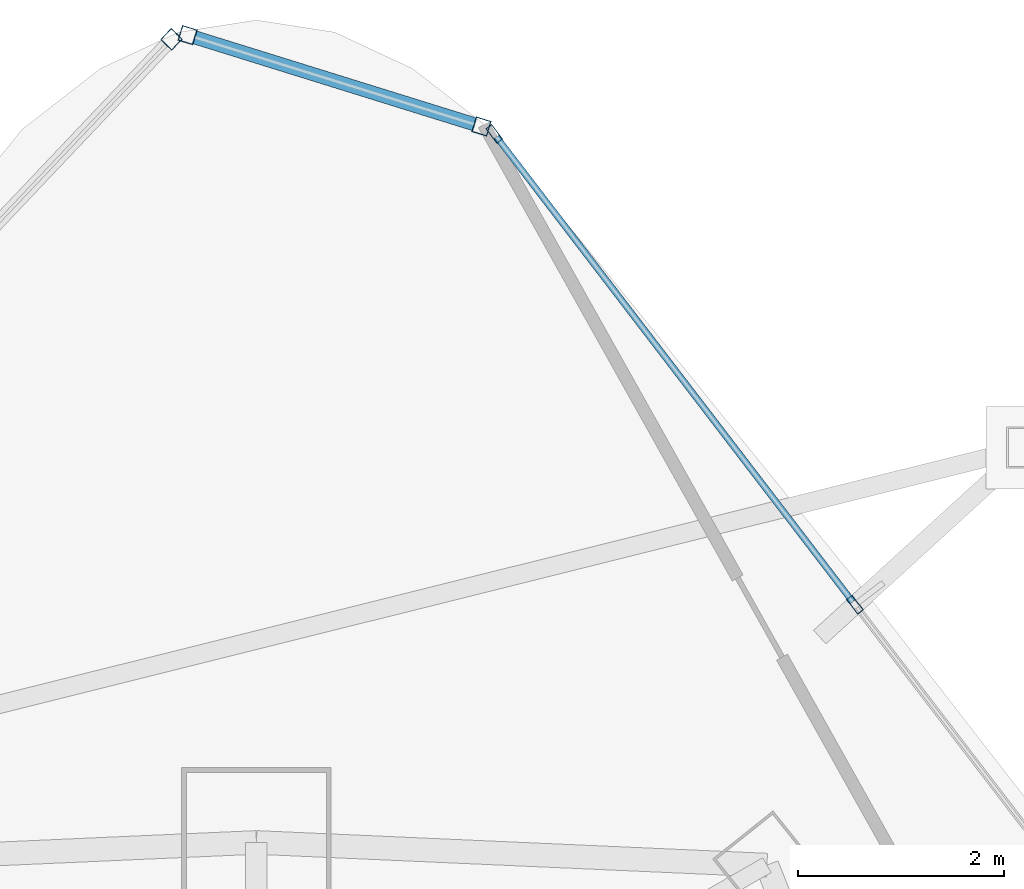
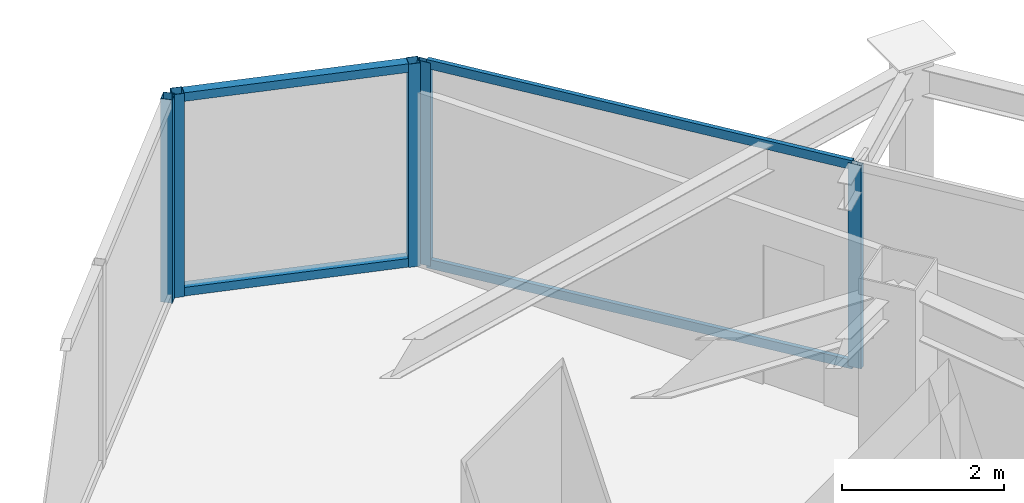
# One storey, part 24 of 33: 9 members, 3 elements without a shape of their own.
"""IFC4 building model written with IfcOpenShell, lengths in metres."""

import ifcopenshell
import ifcopenshell.guid

model = None  # the IFC model being written
_history = None  # IfcOwnerHistory: only IFC2X3 demands one
_inside = {}  # id of a spatial element -> (the spatial element, [elements in it])
_under = {}  # id of a project, library or spatial element -> (it, [spatial elements below it])
_declared = {}  # id of a project -> (the project, [libraries it declares])
_typed = {}  # id of a type object -> (the type object, [elements of that type])
_made_of = {}  # id of a material, layer set ... -> (it, [elements and type objects made of it])


def new_model(schema):
    """Start an empty IFC model of exactly this schema.

    Asked for "IFC4X3", IfcOpenShell would pick the latest addendum, in which some entities
    have other attributes; the version numbers below select the first issue.
    IFC2X3 requires an IfcOwnerHistory on every rooted entity: one is made here for all.
    """
    global model, _history
    if schema == "IFC4X3":
        model = ifcopenshell.file(schema_version=(4, 3, 0, 0))
    else:
        model = ifcopenshell.file(schema=schema)
    _inside.clear()
    _under.clear()
    _declared.clear()
    _typed.clear()
    _made_of.clear()
    _history = None
    if model.schema == "IFC2X3":
        org = make("IfcOrganization", Name="unknown")
        user = make(
            "IfcPersonAndOrganization",
            ThePerson=make("IfcPerson", FamilyName="unknown"),
            TheOrganization=org,
        )
        app = make(
            "IfcApplication",
            ApplicationDeveloper=org,
            Version="unknown",
            ApplicationFullName="unknown",
            ApplicationIdentifier="unknown",
        )
        _history = make(
            "IfcOwnerHistory",
            OwningUser=user,
            OwningApplication=app,
            ChangeAction="ADDED",
            CreationDate=0,
        )
    return model


def make(cls, **values):
    """One entity of the class cls with the attributes given. An attribute that is None is left unset."""
    return model.create_entity(
        cls, **{name: value for name, value in values.items() if value is not None}
    )


def rooted(cls, **values):
    """An entity with a GlobalId (a new one), such as an element, a storey or a relation."""
    return make(cls, GlobalId=ifcopenshell.guid.new(), OwnerHistory=_history, **values)


def si_unit(unit_type, name, prefix=None):
    """IfcSIUnit, for example si_unit("LENGTHUNIT", "METRE", prefix="MILLI")."""
    return make("IfcSIUnit", UnitType=unit_type, Prefix=prefix, Name=name)


def assignment(units):
    """IfcUnitAssignment: the units of a project."""
    return None if units is None else make("IfcUnitAssignment", Units=units)


def point(xyz):
    """IfcCartesianPoint."""
    return None if xyz is None else make("IfcCartesianPoint", Coordinates=xyz)


def direction(xyz):
    """IfcDirection."""
    return None if xyz is None else make("IfcDirection", DirectionRatios=xyz)


def frame(location, z_axis=None, x_axis=None):
    """IfcAxis2Placement3D, a coordinate frame: its origin and axes. An axis left out is left unset."""
    return make(
        "IfcAxis2Placement3D",
        Location=point(location),
        Axis=direction(z_axis),
        RefDirection=direction(x_axis),
    )


def frame_2d(location, x_axis=None):
    """IfcAxis2Placement2D, a coordinate frame in the plane: its origin and x axis."""
    return make(
        "IfcAxis2Placement2D", Location=point(location), RefDirection=direction(x_axis)
    )


def origin():
    """The frame at (0, 0, 0) with its axes left unset."""
    return frame((0.0, 0.0, 0.0))


def origin_2d():
    """The frame at (0, 0) in the plane with its x axis left unset."""
    return frame_2d((0.0, 0.0))


def place(relative_to, where):
    """IfcLocalPlacement: puts the frame where relative to a parent placement (None: the world)."""
    return make(
        "IfcLocalPlacement", PlacementRelTo=relative_to, RelativePlacement=where
    )


def context(
    kind, dimensions, precision=None, world=None, true_north=None, identifier=None
):
    """IfcGeometricRepresentationContext, for example the 3D "Model" context."""
    return make(
        "IfcGeometricRepresentationContext",
        ContextIdentifier=identifier,
        ContextType=kind,
        CoordinateSpaceDimension=dimensions,
        Precision=precision,
        WorldCoordinateSystem=world,
        TrueNorth=true_north,
    )


def subcontext(parent, identifier, kind, view, scale=None):
    """IfcGeometricRepresentationSubContext, for example "Body" below "Model"."""
    return make(
        "IfcGeometricRepresentationSubContext",
        ContextIdentifier=identifier,
        ContextType=kind,
        ParentContext=parent,
        TargetScale=scale,
        TargetView=view,
    )


def project(units=None, contexts=None):
    """IfcProject with its units and contexts."""
    return rooted(
        "IfcProject",
        Name="project",
        RepresentationContexts=contexts,
        UnitsInContext=assignment(units),
    )


def spatial(cls, under=None, at=None, **own):
    """A site, building, storey or space (cls), placed at a placement, below another one or the project."""
    s = rooted(cls, ObjectPlacement=at, **own)
    if under is not None:
        _under.setdefault(under.id(), (under, []))[1].append(s)
    return s


def profile(cls, at=None, kind="AREA", **sizes):
    """A parametric profile (cls). Its sizes go by their IFC names, for example OverallWidth=200.0."""
    return make(cls, ProfileType=kind, Position=at, **sizes)


def hollow_rectangle(**sizes):
    """IfcRectangleHollowProfileDef."""
    return profile("IfcRectangleHollowProfileDef", **sizes)


def extrude(swept, where, along, depth):
    """IfcExtrudedAreaSolid: the profile swept, set in the frame where, extruded along a direction by depth."""
    return make(
        "IfcExtrudedAreaSolid",
        SweptArea=swept,
        Position=where,
        ExtrudedDirection=direction(along),
        Depth=depth,
    )


def shape(context_of_items, identifier, shape_type, items):
    """IfcShapeRepresentation: the items that make up one representation, for example the "Body"."""
    return make(
        "IfcShapeRepresentation",
        ContextOfItems=context_of_items,
        RepresentationIdentifier=identifier,
        RepresentationType=shape_type,
        Items=items,
    )


def material(Name=None, Category=None):
    """IfcMaterial."""
    return make("IfcMaterial", Name=Name, Category=Category)


def layer(
    of_material, thickness, ventilated=None, Name=None, Category=None, Priority=None
):
    """IfcMaterialLayer: one layer of a wall or slab, of a material (None: an air gap)."""
    return make(
        "IfcMaterialLayer",
        Material=of_material,
        LayerThickness=thickness,
        IsVentilated=ventilated,
        Name=Name,
        Category=Category,
        Priority=Priority,
    )


def layer_set(layers, Name=None):
    """IfcMaterialLayerSet."""
    return make("IfcMaterialLayerSet", MaterialLayers=layers, LayerSetName=Name)


def material_profile(
    of_material, cross_section, Name=None, Category=None, Priority=None
):
    """IfcMaterialProfile: a cross section and its material."""
    return make(
        "IfcMaterialProfile",
        Name=Name,
        Material=of_material,
        Profile=cross_section,
        Priority=Priority,
        Category=Category,
    )


def profile_set(profiles, Name=None, composite=None):
    """IfcMaterialProfileSet."""
    return make(
        "IfcMaterialProfileSet",
        Name=Name,
        MaterialProfiles=profiles,
        CompositeProfile=composite,
    )


def made_of(thing, what):
    """Note that an element or type object is made of a material, layer set ...; save() writes the relation."""
    if what is not None:
        _made_of.setdefault(what.id(), (what, []))[1].append(thing)
    return thing


def type_object(cls, material=None, **own):
    """A type object (cls), such as IfcWallType, which elements share."""
    return made_of(rooted(cls, **own), material)


def element(
    cls,
    number,
    at=None,
    inside=None,
    cuts=None,
    type_object=None,
    material=None,
    context=None,
    identifier="Body",
    shape_type=None,
    held_by="IfcProductDefinitionShape",
    body=None,
    shapes=None,
    **own,
):
    """One element of the class cls, such as IfcWall. Its Tag is "e" and its number.

    at: its placement. inside: the storey or other place that contains it. cuts: it is an
    opening in that element (IfcRelVoidsElement). A single representation is given by context,
    identifier, shape_type and body (its items); several are given by shapes. held_by: the class
    of the entity that holds the representations. save() writes the other relations.
    """
    e = rooted(cls, Tag="e%d" % number, ObjectPlacement=at, **own)
    if body is not None:
        shapes = [shape(context, identifier, shape_type, body)]
    if shapes is not None:
        e.Representation = make(held_by, Representations=shapes)
    if inside is not None:
        _inside.setdefault(inside.id(), (inside, []))[1].append(e)
    if cuts is not None:
        rooted(
            "IfcRelVoidsElement", RelatingBuildingElement=cuts, RelatedOpeningElement=e
        )
    if type_object is not None:
        _typed.setdefault(type_object.id(), (type_object, []))[1].append(e)
    return made_of(e, material)


def aggregate(whole, parts):
    """IfcRelAggregates: a whole, such as a stair, and the parts it consists of."""
    return rooted("IfcRelAggregates", RelatingObject=whole, RelatedObjects=parts)


def save(model, path):
    """Write the relations noted so far, then the file.

    IfcRelAggregates (storeys below a building ...), IfcRelContainedInSpatialStructure (elements
    in a storey), IfcRelDefinesByType, IfcRelAssociatesMaterial and IfcRelDeclares: one each for
    every whole, place, type object, material and project.
    """
    for whole, parts in _under.values():
        aggregate(whole, parts)
    for where, things in _inside.values():
        rooted(
            "IfcRelContainedInSpatialStructure",
            RelatedElements=things,
            RelatingStructure=where,
        )
    for kind, things in _typed.values():
        rooted("IfcRelDefinesByType", RelatedObjects=things, RelatingType=kind)
    for what, things in _made_of.values():
        rooted("IfcRelAssociatesMaterial", RelatedObjects=things, RelatingMaterial=what)
    for by, libraries in _declared.values():
        rooted("IfcRelDeclares", RelatingContext=by, RelatedDefinitions=libraries)
    model.write(path)


model = new_model("IFC4")

# Units and contexts
model_context = context("Model", 3, precision=1e-05, world=origin(), true_north=direction((0.0, 1.0)))
body_context = subcontext(model_context, "Body", "Model", "MODEL_VIEW")
ifc_project = project(units=[si_unit("LENGTHUNIT", "METRE"), si_unit("AREAUNIT", "SQUARE_METRE"), si_unit("VOLUMEUNIT", "CUBIC_METRE"), si_unit("PLANEANGLEUNIT", "RADIAN"), si_unit("MASSUNIT", "GRAM", prefix="KILO")], contexts=[model_context])

# Site, building, storey
site_placement = place(None, origin())
site = spatial("IfcSite", under=ifc_project, at=site_placement, CompositionType="ELEMENT")
building_placement = place(site_placement, origin())
building = spatial("IfcBuilding", under=site, at=building_placement, Name="Orvanel Arch Residences", CompositionType="ELEMENT")
storey_placement = place(building_placement, frame((0.0, 0.0, 123.199951171875)))
storey = spatial("IfcBuildingStorey", under=building, at=storey_placement, Name="L34", CompositionType="ELEMENT", Elevation=123.199951171875)

# Curtain wall, members
ifc_material = material(Name="Bronze-anodised aluminium AA6063-T6", Category="aluminium")
ifc_layer_1 = layer(ifc_material, 0.18994140625)
ifc_layer_set_1 = layer_set([ifc_layer_1], Name="Bronze-anodised aluminium AA6063-T6")
curtain_wall_type_1 = type_object("IfcCurtainWallType", Name="CW5-CRN-SYS", PredefinedType="NOTDEFINED", material=ifc_layer_set_1)
curtain_wall_1_placement = place(storey_placement, origin())
curtain_wall_1 = element("IfcCurtainWall", 1, at=curtain_wall_1_placement, inside=storey, type_object=curtain_wall_type_1, Name="L34 CW5-CRN-SYS Unitised Curtain Wall", PredefinedType="NOTDEFINED")
ifc_material_profile_1 = material_profile(ifc_material, hollow_rectangle(XDim=0.14990234375, YDim=0.14990234375, WallThickness=0.0048828125, at=origin_2d()), Name="ALU150x150x5")
ifc_profile_set_1 = profile_set([ifc_material_profile_1], Name="Bronze-anodised aluminium AA6063-T6")
member_type_1 = type_object("IfcMemberType", Name="MUL-150x150", PredefinedType="MULLION", material=ifc_profile_set_1)
member_1_placement = place(storey_placement, frame((35.182373046875, 48.33935546875, 0.0), z_axis=(0.0, 0.0, 1.0), x_axis=(-0.297021304243, -0.954870852433, 0.0)))
member_1 = element("IfcMember", 2, at=member_1_placement, type_object=member_type_1, Name="CW-S5 mullion 1", PredefinedType="MULLION", context=body_context, shape_type="SweptSolid", body=[
    extrude(hollow_rectangle(XDim=0.14990234375, YDim=0.14990234375, WallThickness=0.0048828125, at=origin_2d()), origin(), (0.0, 0.0, 1.0), 3.06005859375),
])
member_2_placement = place(storey_placement, frame((32.33251953125, 49.225830078125, 0.0), z_axis=(0.0, 0.0, 1.0), x_axis=(-0.297021304243, -0.954870852433, 0.0)))
member_2 = element("IfcMember", 3, at=member_2_placement, type_object=member_type_1, Name="CW-S5 mullion 2", PredefinedType="MULLION", context=body_context, shape_type="SweptSolid", body=[
    extrude(hollow_rectangle(XDim=0.14990234375, YDim=0.14990234375, WallThickness=0.0048828125, at=origin_2d()), origin(), (0.0, 0.0, 1.0), 3.06005859375),
])

# Curtain wall, member
curtain_wall_2_placement = place(storey_placement, origin())
curtain_wall_2 = element("IfcCurtainWall", 4, at=curtain_wall_2_placement, inside=storey, type_object=curtain_wall_type_1, Name="L34 CW5-CRN-SYS Unitised Curtain Wall", PredefinedType="NOTDEFINED")
member_3_placement = place(storey_placement, frame((32.176513671875, 49.1845703125, 0.0), z_axis=(0.0, 0.0, 1.0), x_axis=(0.725885986866, -0.687815043505, 0.0)))
member_3 = element("IfcMember", 5, at=member_3_placement, type_object=member_type_1, Name="CW-S5 mullion 1", PredefinedType="MULLION", context=body_context, shape_type="SweptSolid", body=[
    extrude(hollow_rectangle(XDim=0.14990234375, YDim=0.14990234375, WallThickness=0.0048828125, at=origin_2d()), origin(), (0.0, 0.0, 1.0), 3.06005859375),
])
aggregate(curtain_wall_2, [member_3])

# Curtain wall, members
ifc_layer_2 = layer(ifc_material, 0.179931640625)
ifc_layer_set_2 = layer_set([ifc_layer_2], Name="Bronze-anodised aluminium AA6063-T6")
curtain_wall_type_2 = type_object("IfcCurtainWallType", Name="CW3-MID-SYS", PredefinedType="NOTDEFINED", material=ifc_layer_set_2)
curtain_wall_3_placement = place(storey_placement, origin())
curtain_wall_3 = element("IfcCurtainWall", 6, at=curtain_wall_3_placement, inside=storey, type_object=curtain_wall_type_2, Name="L34 CW3-MID-SYS Unitised Curtain Wall", PredefinedType="NOTDEFINED")
ifc_material_profile_2 = material_profile(ifc_material, hollow_rectangle(XDim=0.070068359375, YDim=0.179931640625, WallThickness=0.00439453125, at=origin_2d()), Name="ALU180x70x4.5")
ifc_profile_set_2 = profile_set([ifc_material_profile_2], Name="Bronze-anodised aluminium AA6063-T6")
member_type_2 = type_object("IfcMemberType", Name="MUL-180x70", PredefinedType="MULLION", material=ifc_profile_set_2)
member_4_placement = place(storey_placement, frame((38.802734375, 43.70263671875, 0.0), z_axis=(0.0, 0.0, 1.0), x_axis=(-0.793866900823, -0.608091558713, 0.0)))
member_4 = element("IfcMember", 7, at=member_4_placement, type_object=member_type_2, Name="CW-S3 mullion 3", PredefinedType="MULLION", context=body_context, shape_type="SweptSolid", body=[
    extrude(hollow_rectangle(XDim=0.070068359375, YDim=0.179931640625, WallThickness=0.00439453125, at=origin_2d()), origin(), (0.0, 0.0, 1.0), 3.06005859375),
])
member_5_placement = place(storey_placement, frame((35.306396484375, 48.267333984375, 0.0), z_axis=(0.0, 0.0, 1.0), x_axis=(-0.793866900823, -0.608091558713, 0.0)))
member_5 = element("IfcMember", 8, at=member_5_placement, type_object=member_type_2, Name="CW-S3 mullion 4", PredefinedType="MULLION", context=body_context, shape_type="SweptSolid", body=[
    extrude(hollow_rectangle(XDim=0.070068359375, YDim=0.179931640625, WallThickness=0.00439453125, at=origin_2d()), origin(), (0.0, 0.0, 1.0), 3.06005859375),
])

# Member
ifc_material_profile_3 = material_profile(ifc_material, hollow_rectangle(XDim=0.1298828125, YDim=0.1298828125, WallThickness=0.00439453125, at=origin_2d()), Name="ALU130x130x4.5")
ifc_profile_set_3 = profile_set([ifc_material_profile_3], Name="Bronze-anodised aluminium AA6063-T6")
member_type_3 = type_object("IfcMemberType", Name="TRN-130x130", PredefinedType="USERDEFINED", material=ifc_profile_set_3)
member_6_placement = place(storey_placement, frame((35.11083984375, 48.361572265625, 0.06494140625), z_axis=(-0.954880662706, 0.296989764118, 0.0), x_axis=(-0.296989764118, -0.954880662706, 0.0)))
member_6 = element("IfcMember", 9, at=member_6_placement, type_object=member_type_3, Name="CW-S5 transom 1.1", ObjectType="TRANSOM", PredefinedType="USERDEFINED", context=body_context, shape_type="SweptSolid", body=[
    extrude(hollow_rectangle(XDim=0.1298828125, YDim=0.1298828125, WallThickness=0.00439453125, at=origin_2d()), origin(), (0.0, 0.0, 1.0), 2.83447265625),
])

member_7_placement = place(storey_placement, frame((35.11083984375, 48.361572265625, 2.9951171875), z_axis=(-0.954880662706, 0.296989764118, 0.0), x_axis=(-0.296989764118, -0.954880662706, 0.0)))
member_7 = element("IfcMember", 10, at=member_7_placement, type_object=member_type_3, Name="CW-S5 transom 1.2", ObjectType="TRANSOM", PredefinedType="USERDEFINED", context=body_context, shape_type="SweptSolid", body=[
    extrude(hollow_rectangle(XDim=0.1298828125, YDim=0.1298828125, WallThickness=0.00439453125, at=origin_2d()), origin(), (0.0, 0.0, 1.0), 2.83447265625),
])

aggregate(curtain_wall_1, [member_1, member_2, member_6, member_7])

ifc_material_profile_4 = material_profile(ifc_material, hollow_rectangle(XDim=0.06005859375, YDim=0.135009765625, WallThickness=0.00390625, at=origin_2d()), Name="ALU135x60x4")
ifc_profile_set_4 = profile_set([ifc_material_profile_4], Name="Bronze-anodised aluminium AA6063-T6")
member_type_4 = type_object("IfcMemberType", Name="TRN-135x60", PredefinedType="USERDEFINED", material=ifc_profile_set_4)
member_8_placement = place(storey_placement, frame((38.781494140625, 43.73046875, 0.030029296875), z_axis=(-0.608091287366, 0.793867108671, 0.0), x_axis=(-0.793867108671, -0.608091287366, 0.0)))
member_8 = element("IfcMember", 11, at=member_8_placement, type_object=member_type_4, Name="CW-S3 transom 3.1", ObjectType="TRANSOM", PredefinedType="USERDEFINED", context=body_context, shape_type="SweptSolid", body=[
    extrude(hollow_rectangle(XDim=0.06005859375, YDim=0.135009765625, WallThickness=0.00390625, at=origin_2d()), origin(), (0.0, 0.0, 1.0), 5.679931640625),
])

member_9_placement = place(storey_placement, frame((38.781494140625, 43.73046875, 3.030029296875), z_axis=(-0.608091287366, 0.793867108671, 0.0), x_axis=(-0.793867108671, -0.608091287366, 0.0)))
member_9 = element("IfcMember", 12, at=member_9_placement, type_object=member_type_4, Name="CW-S3 transom 3.2", ObjectType="TRANSOM", PredefinedType="USERDEFINED", context=body_context, shape_type="SweptSolid", body=[
    extrude(hollow_rectangle(XDim=0.06005859375, YDim=0.135009765625, WallThickness=0.00390625, at=origin_2d()), origin(), (0.0, 0.0, 1.0), 5.679931640625),
])

aggregate(curtain_wall_3, [member_4, member_5, member_8, member_9])

save(model, "model.ifc")
